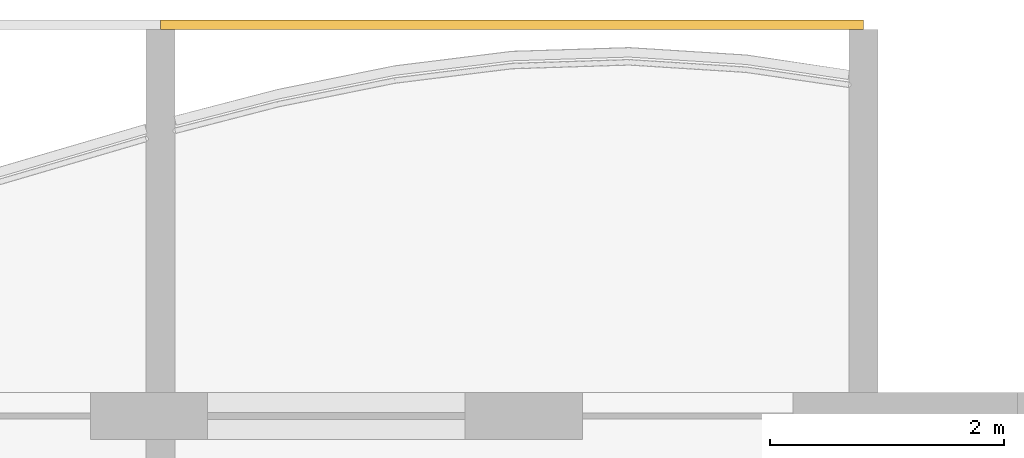
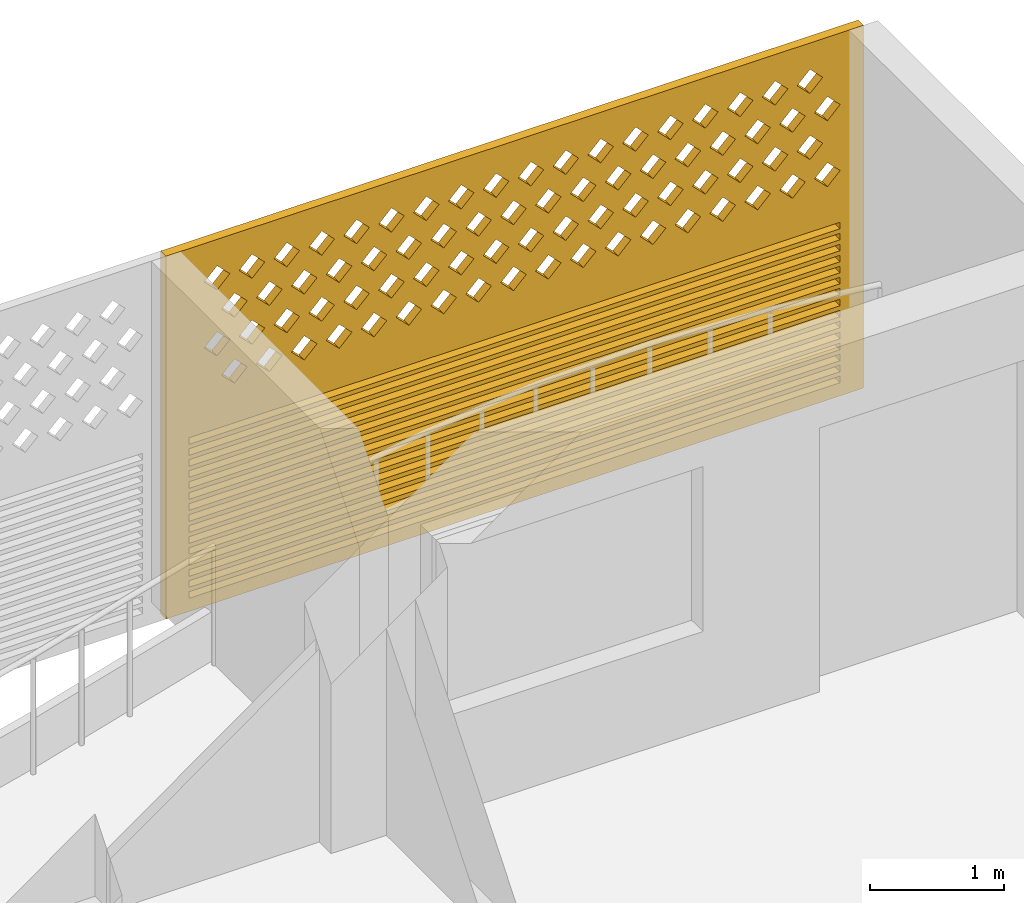
# One storey, part 26 of 26: 1 covering.
"""IFC4 building model written with IfcOpenShell, lengths in metres."""

from ifc_helpers import new_model, si_unit, direction, frame, origin, place, context, subcontext, project, spatial, polyline, outline, extrude, source, transform, mapped, material, material_profile, profile_set, type_object, element, save


model = new_model("IFC4")

# Units and contexts
model_context = context("Model", 3, precision=1e-05, world=origin(), true_north=direction((0.0, 1.0)))
body_context = subcontext(model_context, "Body", "Model", "MODEL_VIEW")
ifc_project = project(units=[si_unit("LENGTHUNIT", "METRE"), si_unit("AREAUNIT", "SQUARE_METRE"), si_unit("VOLUMEUNIT", "CUBIC_METRE"), si_unit("PLANEANGLEUNIT", "RADIAN"), si_unit("MASSUNIT", "GRAM", prefix="KILO")], contexts=[model_context])

# Site, building, storey
site_placement = place(None, origin())
site = spatial("IfcSite", under=ifc_project, at=site_placement, CompositionType="ELEMENT")
building_placement = place(site_placement, origin())
building = spatial("IfcBuilding", under=site, at=building_placement, Name="Poui Terraces", CompositionType="ELEMENT")
storey_placement = place(building_placement, frame((0.0, 0.0, 244.5)))
storey = spatial("IfcBuildingStorey", under=building, at=storey_placement, Name="L68", CompositionType="ELEMENT", Elevation=244.5)

# Covering
ifc_material = material(Name="Terracotta screen", Category="masonry")
ifc_material_profile = material_profile(ifc_material, outline(polyline([(-3.0, -1.64990234375), (3.0, -1.64990234375), (3.0, 1.64990234375), (-3.0, 1.64990234375), (-3.0, -1.64990234375)]), holes=[polyline([(-2.800048828125, 0.39990234375), (-2.68994140625, 0.2900390625), (-2.580078125, 0.39990234375), (-2.68994140625, 0.510009765625), (-2.800048828125, 0.39990234375)]), polyline([(-2.5, 0.39990234375), (-2.389892578125, 0.2900390625), (-2.280029296875, 0.39990234375), (-2.389892578125, 0.510009765625), (-2.5, 0.39990234375)]), polyline([(-2.199951171875, 0.39990234375), (-2.090087890625, 0.2900390625), (-1.97998046875, 0.39990234375), (-2.090087890625, 0.510009765625), (-2.199951171875, 0.39990234375)]), polyline([(-1.89990234375, 0.39990234375), (-1.7900390625, 0.2900390625), (-1.679931640625, 0.39990234375), (-1.7900390625, 0.510009765625), (-1.89990234375, 0.39990234375)]), polyline([(-1.60009765625, 0.39990234375), (-1.489990234375, 0.2900390625), (-1.3798828125, 0.39990234375), (-1.489990234375, 0.510009765625), (-1.60009765625, 0.39990234375)]), polyline([(-1.300048828125, 0.39990234375), (-1.18994140625, 0.2900390625), (-1.080078125, 0.39990234375), (-1.18994140625, 0.510009765625), (-1.300048828125, 0.39990234375)]), polyline([(-1.0, 0.39990234375), (-0.889892578125, 0.2900390625), (-0.780029296875, 0.39990234375), (-0.889892578125, 0.510009765625), (-1.0, 0.39990234375)]), polyline([(-0.699951171875, 0.39990234375), (-0.590087890625, 0.2900390625), (-0.47998046875, 0.39990234375), (-0.590087890625, 0.510009765625), (-0.699951171875, 0.39990234375)]), polyline([(-0.39990234375, 0.39990234375), (-0.2900390625, 0.2900390625), (-0.179931640625, 0.39990234375), (-0.2900390625, 0.510009765625), (-0.39990234375, 0.39990234375)]), polyline([(-0.10009765625, 0.39990234375), (0.010009765625, 0.2900390625), (0.1201171875, 0.39990234375), (0.010009765625, 0.510009765625), (-0.10009765625, 0.39990234375)]), polyline([(0.199951171875, 0.39990234375), (0.31005859375, 0.2900390625), (0.419921875, 0.39990234375), (0.31005859375, 0.510009765625), (0.199951171875, 0.39990234375)]), polyline([(0.5, 0.39990234375), (0.610107421875, 0.2900390625), (0.719970703125, 0.39990234375), (0.610107421875, 0.510009765625), (0.5, 0.39990234375)]), polyline([(0.800048828125, 0.39990234375), (0.909912109375, 0.2900390625), (1.02001953125, 0.39990234375), (0.909912109375, 0.510009765625), (0.800048828125, 0.39990234375)]), polyline([(1.10009765625, 0.39990234375), (1.2099609375, 0.2900390625), (1.320068359375, 0.39990234375), (1.2099609375, 0.510009765625), (1.10009765625, 0.39990234375)]), polyline([(1.39990234375, 0.39990234375), (1.510009765625, 0.2900390625), (1.6201171875, 0.39990234375), (1.510009765625, 0.510009765625), (1.39990234375, 0.39990234375)]), polyline([(1.699951171875, 0.39990234375), (1.81005859375, 0.2900390625), (1.919921875, 0.39990234375), (1.81005859375, 0.510009765625), (1.699951171875, 0.39990234375)]), polyline([(2.0, 0.39990234375), (2.110107421875, 0.2900390625), (2.219970703125, 0.39990234375), (2.110107421875, 0.510009765625), (2.0, 0.39990234375)]), polyline([(2.300048828125, 0.39990234375), (2.409912109375, 0.2900390625), (2.52001953125, 0.39990234375), (2.409912109375, 0.510009765625), (2.300048828125, 0.39990234375)]), polyline([(-2.64990234375, 0.699951171875), (-2.5400390625, 0.590087890625), (-2.429931640625, 0.699951171875), (-2.5400390625, 0.81005859375), (-2.64990234375, 0.699951171875)]), polyline([(-2.35009765625, 0.699951171875), (-2.239990234375, 0.590087890625), (-2.1298828125, 0.699951171875), (-2.239990234375, 0.81005859375), (-2.35009765625, 0.699951171875)]), polyline([(-2.050048828125, 0.699951171875), (-1.93994140625, 0.590087890625), (-1.830078125, 0.699951171875), (-1.93994140625, 0.81005859375), (-2.050048828125, 0.699951171875)]), polyline([(-1.75, 0.699951171875), (-1.639892578125, 0.590087890625), (-1.530029296875, 0.699951171875), (-1.639892578125, 0.81005859375), (-1.75, 0.699951171875)]), polyline([(-1.449951171875, 0.699951171875), (-1.340087890625, 0.590087890625), (-1.22998046875, 0.699951171875), (-1.340087890625, 0.81005859375), (-1.449951171875, 0.699951171875)]), polyline([(-1.14990234375, 0.699951171875), (-1.0400390625, 0.590087890625), (-0.929931640625, 0.699951171875), (-1.0400390625, 0.81005859375), (-1.14990234375, 0.699951171875)]), polyline([(-0.85009765625, 0.699951171875), (-0.739990234375, 0.590087890625), (-0.6298828125, 0.699951171875), (-0.739990234375, 0.81005859375), (-0.85009765625, 0.699951171875)]), polyline([(-0.550048828125, 0.699951171875), (-0.43994140625, 0.590087890625), (-0.330078125, 0.699951171875), (-0.43994140625, 0.81005859375), (-0.550048828125, 0.699951171875)]), polyline([(-0.25, 0.699951171875), (-0.139892578125, 0.590087890625), (-0.030029296875, 0.699951171875), (-0.139892578125, 0.81005859375), (-0.25, 0.699951171875)]), polyline([(0.050048828125, 0.699951171875), (0.159912109375, 0.590087890625), (0.27001953125, 0.699951171875), (0.159912109375, 0.81005859375), (0.050048828125, 0.699951171875)]), polyline([(0.35009765625, 0.699951171875), (0.4599609375, 0.590087890625), (0.570068359375, 0.699951171875), (0.4599609375, 0.81005859375), (0.35009765625, 0.699951171875)]), polyline([(0.64990234375, 0.699951171875), (0.760009765625, 0.590087890625), (0.8701171875, 0.699951171875), (0.760009765625, 0.81005859375), (0.64990234375, 0.699951171875)]), polyline([(0.949951171875, 0.699951171875), (1.06005859375, 0.590087890625), (1.169921875, 0.699951171875), (1.06005859375, 0.81005859375), (0.949951171875, 0.699951171875)]), polyline([(1.25, 0.699951171875), (1.360107421875, 0.590087890625), (1.469970703125, 0.699951171875), (1.360107421875, 0.81005859375), (1.25, 0.699951171875)]), polyline([(1.550048828125, 0.699951171875), (1.659912109375, 0.590087890625), (1.77001953125, 0.699951171875), (1.659912109375, 0.81005859375), (1.550048828125, 0.699951171875)]), polyline([(1.85009765625, 0.699951171875), (1.9599609375, 0.590087890625), (2.070068359375, 0.699951171875), (1.9599609375, 0.81005859375), (1.85009765625, 0.699951171875)]), polyline([(2.14990234375, 0.699951171875), (2.260009765625, 0.590087890625), (2.3701171875, 0.699951171875), (2.260009765625, 0.81005859375), (2.14990234375, 0.699951171875)]), polyline([(2.449951171875, 0.699951171875), (2.56005859375, 0.590087890625), (2.669921875, 0.699951171875), (2.56005859375, 0.81005859375), (2.449951171875, 0.699951171875)]), polyline([(-2.800048828125, 1.0), (-2.68994140625, 0.889892578125), (-2.580078125, 1.0), (-2.68994140625, 1.110107421875), (-2.800048828125, 1.0)]), polyline([(-2.5, 1.0), (-2.389892578125, 0.889892578125), (-2.280029296875, 1.0), (-2.389892578125, 1.110107421875), (-2.5, 1.0)]), polyline([(-2.199951171875, 1.0), (-2.090087890625, 0.889892578125), (-1.97998046875, 1.0), (-2.090087890625, 1.110107421875), (-2.199951171875, 1.0)]), polyline([(-1.89990234375, 1.0), (-1.7900390625, 0.889892578125), (-1.679931640625, 1.0), (-1.7900390625, 1.110107421875), (-1.89990234375, 1.0)]), polyline([(-1.60009765625, 1.0), (-1.489990234375, 0.889892578125), (-1.3798828125, 1.0), (-1.489990234375, 1.110107421875), (-1.60009765625, 1.0)]), polyline([(-1.300048828125, 1.0), (-1.18994140625, 0.889892578125), (-1.080078125, 1.0), (-1.18994140625, 1.110107421875), (-1.300048828125, 1.0)]), polyline([(-1.0, 1.0), (-0.889892578125, 0.889892578125), (-0.780029296875, 1.0), (-0.889892578125, 1.110107421875), (-1.0, 1.0)]), polyline([(-0.699951171875, 1.0), (-0.590087890625, 0.889892578125), (-0.47998046875, 1.0), (-0.590087890625, 1.110107421875), (-0.699951171875, 1.0)]), polyline([(-0.39990234375, 1.0), (-0.2900390625, 0.889892578125), (-0.179931640625, 1.0), (-0.2900390625, 1.110107421875), (-0.39990234375, 1.0)]), polyline([(-0.10009765625, 1.0), (0.010009765625, 0.889892578125), (0.1201171875, 1.0), (0.010009765625, 1.110107421875), (-0.10009765625, 1.0)]), polyline([(0.199951171875, 1.0), (0.31005859375, 0.889892578125), (0.419921875, 1.0), (0.31005859375, 1.110107421875), (0.199951171875, 1.0)]), polyline([(0.5, 1.0), (0.610107421875, 0.889892578125), (0.719970703125, 1.0), (0.610107421875, 1.110107421875), (0.5, 1.0)]), polyline([(0.800048828125, 1.0), (0.909912109375, 0.889892578125), (1.02001953125, 1.0), (0.909912109375, 1.110107421875), (0.800048828125, 1.0)]), polyline([(1.10009765625, 1.0), (1.2099609375, 0.889892578125), (1.320068359375, 1.0), (1.2099609375, 1.110107421875), (1.10009765625, 1.0)]), polyline([(1.39990234375, 1.0), (1.510009765625, 0.889892578125), (1.6201171875, 1.0), (1.510009765625, 1.110107421875), (1.39990234375, 1.0)]), polyline([(1.699951171875, 1.0), (1.81005859375, 0.889892578125), (1.919921875, 1.0), (1.81005859375, 1.110107421875), (1.699951171875, 1.0)]), polyline([(2.0, 1.0), (2.110107421875, 0.889892578125), (2.219970703125, 1.0), (2.110107421875, 1.110107421875), (2.0, 1.0)]), polyline([(2.300048828125, 1.0), (2.409912109375, 0.889892578125), (2.52001953125, 1.0), (2.409912109375, 1.110107421875), (2.300048828125, 1.0)]), polyline([(-2.64990234375, 1.300048828125), (-2.5400390625, 1.18994140625), (-2.429931640625, 1.300048828125), (-2.5400390625, 1.409912109375), (-2.64990234375, 1.300048828125)]), polyline([(-2.35009765625, 1.300048828125), (-2.239990234375, 1.18994140625), (-2.1298828125, 1.300048828125), (-2.239990234375, 1.409912109375), (-2.35009765625, 1.300048828125)]), polyline([(-2.050048828125, 1.300048828125), (-1.93994140625, 1.18994140625), (-1.830078125, 1.300048828125), (-1.93994140625, 1.409912109375), (-2.050048828125, 1.300048828125)]), polyline([(-1.75, 1.300048828125), (-1.639892578125, 1.18994140625), (-1.530029296875, 1.300048828125), (-1.639892578125, 1.409912109375), (-1.75, 1.300048828125)]), polyline([(-1.449951171875, 1.300048828125), (-1.340087890625, 1.18994140625), (-1.22998046875, 1.300048828125), (-1.340087890625, 1.409912109375), (-1.449951171875, 1.300048828125)]), polyline([(-1.14990234375, 1.300048828125), (-1.0400390625, 1.18994140625), (-0.929931640625, 1.300048828125), (-1.0400390625, 1.409912109375), (-1.14990234375, 1.300048828125)]), polyline([(-0.85009765625, 1.300048828125), (-0.739990234375, 1.18994140625), (-0.6298828125, 1.300048828125), (-0.739990234375, 1.409912109375), (-0.85009765625, 1.300048828125)]), polyline([(-0.550048828125, 1.300048828125), (-0.43994140625, 1.18994140625), (-0.330078125, 1.300048828125), (-0.43994140625, 1.409912109375), (-0.550048828125, 1.300048828125)]), polyline([(-0.25, 1.300048828125), (-0.139892578125, 1.18994140625), (-0.030029296875, 1.300048828125), (-0.139892578125, 1.409912109375), (-0.25, 1.300048828125)]), polyline([(0.050048828125, 1.300048828125), (0.159912109375, 1.18994140625), (0.27001953125, 1.300048828125), (0.159912109375, 1.409912109375), (0.050048828125, 1.300048828125)]), polyline([(0.35009765625, 1.300048828125), (0.4599609375, 1.18994140625), (0.570068359375, 1.300048828125), (0.4599609375, 1.409912109375), (0.35009765625, 1.300048828125)]), polyline([(0.64990234375, 1.300048828125), (0.760009765625, 1.18994140625), (0.8701171875, 1.300048828125), (0.760009765625, 1.409912109375), (0.64990234375, 1.300048828125)]), polyline([(0.949951171875, 1.300048828125), (1.06005859375, 1.18994140625), (1.169921875, 1.300048828125), (1.06005859375, 1.409912109375), (0.949951171875, 1.300048828125)]), polyline([(1.25, 1.300048828125), (1.360107421875, 1.18994140625), (1.469970703125, 1.300048828125), (1.360107421875, 1.409912109375), (1.25, 1.300048828125)]), polyline([(1.550048828125, 1.300048828125), (1.659912109375, 1.18994140625), (1.77001953125, 1.300048828125), (1.659912109375, 1.409912109375), (1.550048828125, 1.300048828125)]), polyline([(1.85009765625, 1.300048828125), (1.9599609375, 1.18994140625), (2.070068359375, 1.300048828125), (1.9599609375, 1.409912109375), (1.85009765625, 1.300048828125)]), polyline([(2.14990234375, 1.300048828125), (2.260009765625, 1.18994140625), (2.3701171875, 1.300048828125), (2.260009765625, 1.409912109375), (2.14990234375, 1.300048828125)]), polyline([(2.449951171875, 1.300048828125), (2.56005859375, 1.18994140625), (2.669921875, 1.300048828125), (2.56005859375, 1.409912109375), (2.449951171875, 1.300048828125)]), polyline([(-2.800048828125, -1.530029296875), (2.800048828125, -1.530029296875), (2.800048828125, -1.469970703125), (-2.800048828125, -1.469970703125), (-2.800048828125, -1.530029296875)]), polyline([(-2.800048828125, -1.429931640625), (2.800048828125, -1.429931640625), (2.800048828125, -1.3701171875), (-2.800048828125, -1.3701171875), (-2.800048828125, -1.429931640625)]), polyline([(-2.800048828125, -1.330078125), (2.800048828125, -1.330078125), (2.800048828125, -1.27001953125), (-2.800048828125, -1.27001953125), (-2.800048828125, -1.330078125)]), polyline([(-2.800048828125, -1.22998046875), (2.800048828125, -1.22998046875), (2.800048828125, -1.169921875), (-2.800048828125, -1.169921875), (-2.800048828125, -1.22998046875)]), polyline([(-2.800048828125, -1.1298828125), (2.800048828125, -1.1298828125), (2.800048828125, -1.070068359375), (-2.800048828125, -1.070068359375), (-2.800048828125, -1.1298828125)]), polyline([(-2.800048828125, -1.030029296875), (2.800048828125, -1.030029296875), (2.800048828125, -0.969970703125), (-2.800048828125, -0.969970703125), (-2.800048828125, -1.030029296875)]), polyline([(-2.800048828125, -0.929931640625), (2.800048828125, -0.929931640625), (2.800048828125, -0.8701171875), (-2.800048828125, -0.8701171875), (-2.800048828125, -0.929931640625)]), polyline([(-2.800048828125, -0.830078125), (2.800048828125, -0.830078125), (2.800048828125, -0.77001953125), (-2.800048828125, -0.77001953125), (-2.800048828125, -0.830078125)]), polyline([(-2.800048828125, -0.72998046875), (2.800048828125, -0.72998046875), (2.800048828125, -0.669921875), (-2.800048828125, -0.669921875), (-2.800048828125, -0.72998046875)]), polyline([(-2.800048828125, -0.6298828125), (2.800048828125, -0.6298828125), (2.800048828125, -0.570068359375), (-2.800048828125, -0.570068359375), (-2.800048828125, -0.6298828125)]), polyline([(-2.800048828125, -0.530029296875), (2.800048828125, -0.530029296875), (2.800048828125, -0.469970703125), (-2.800048828125, -0.469970703125), (-2.800048828125, -0.530029296875)]), polyline([(-2.800048828125, -0.429931640625), (2.800048828125, -0.429931640625), (2.800048828125, -0.3701171875), (-2.800048828125, -0.3701171875), (-2.800048828125, -0.429931640625)]), polyline([(-2.800048828125, -0.330078125), (2.800048828125, -0.330078125), (2.800048828125, -0.27001953125), (-2.800048828125, -0.27001953125), (-2.800048828125, -0.330078125)]), polyline([(-2.800048828125, -0.22998046875), (2.800048828125, -0.22998046875), (2.800048828125, -0.169921875), (-2.800048828125, -0.169921875), (-2.800048828125, -0.22998046875)]), polyline([(-2.800048828125, -0.1298828125), (2.800048828125, -0.1298828125), (2.800048828125, -0.070068359375), (-2.800048828125, -0.070068359375), (-2.800048828125, -0.1298828125)])]), Name="TERRACOTTA SCREEN AND JALOUSIE LOUVRE 6000X3300")
ifc_profile_set = profile_set([ifc_material_profile], Name="Terracotta screen")
covering_type = type_object("IfcCoveringType", Name="TERRACOTTA SCREEN AND JALOUSIE LOUVRE 6000X3300", PredefinedType="CLADDING", material=ifc_profile_set)
shared_shape = source(origin(), body_context, "Body", "SweptSolid", [
    extrude(outline(polyline([(-3.0, -1.64990234375), (3.0, -1.64990234375), (3.0, 1.64990234375), (-3.0, 1.64990234375), (-3.0, -1.64990234375)]), holes=[polyline([(-2.800048828125, 0.39990234375), (-2.68994140625, 0.2900390625), (-2.580078125, 0.39990234375), (-2.68994140625, 0.510009765625), (-2.800048828125, 0.39990234375)]), polyline([(-2.5, 0.39990234375), (-2.389892578125, 0.2900390625), (-2.280029296875, 0.39990234375), (-2.389892578125, 0.510009765625), (-2.5, 0.39990234375)]), polyline([(-2.199951171875, 0.39990234375), (-2.090087890625, 0.2900390625), (-1.97998046875, 0.39990234375), (-2.090087890625, 0.510009765625), (-2.199951171875, 0.39990234375)]), polyline([(-1.89990234375, 0.39990234375), (-1.7900390625, 0.2900390625), (-1.679931640625, 0.39990234375), (-1.7900390625, 0.510009765625), (-1.89990234375, 0.39990234375)]), polyline([(-1.60009765625, 0.39990234375), (-1.489990234375, 0.2900390625), (-1.3798828125, 0.39990234375), (-1.489990234375, 0.510009765625), (-1.60009765625, 0.39990234375)]), polyline([(-1.300048828125, 0.39990234375), (-1.18994140625, 0.2900390625), (-1.080078125, 0.39990234375), (-1.18994140625, 0.510009765625), (-1.300048828125, 0.39990234375)]), polyline([(-1.0, 0.39990234375), (-0.889892578125, 0.2900390625), (-0.780029296875, 0.39990234375), (-0.889892578125, 0.510009765625), (-1.0, 0.39990234375)]), polyline([(-0.699951171875, 0.39990234375), (-0.590087890625, 0.2900390625), (-0.47998046875, 0.39990234375), (-0.590087890625, 0.510009765625), (-0.699951171875, 0.39990234375)]), polyline([(-0.39990234375, 0.39990234375), (-0.2900390625, 0.2900390625), (-0.179931640625, 0.39990234375), (-0.2900390625, 0.510009765625), (-0.39990234375, 0.39990234375)]), polyline([(-0.10009765625, 0.39990234375), (0.010009765625, 0.2900390625), (0.1201171875, 0.39990234375), (0.010009765625, 0.510009765625), (-0.10009765625, 0.39990234375)]), polyline([(0.199951171875, 0.39990234375), (0.31005859375, 0.2900390625), (0.419921875, 0.39990234375), (0.31005859375, 0.510009765625), (0.199951171875, 0.39990234375)]), polyline([(0.5, 0.39990234375), (0.610107421875, 0.2900390625), (0.719970703125, 0.39990234375), (0.610107421875, 0.510009765625), (0.5, 0.39990234375)]), polyline([(0.800048828125, 0.39990234375), (0.909912109375, 0.2900390625), (1.02001953125, 0.39990234375), (0.909912109375, 0.510009765625), (0.800048828125, 0.39990234375)]), polyline([(1.10009765625, 0.39990234375), (1.2099609375, 0.2900390625), (1.320068359375, 0.39990234375), (1.2099609375, 0.510009765625), (1.10009765625, 0.39990234375)]), polyline([(1.39990234375, 0.39990234375), (1.510009765625, 0.2900390625), (1.6201171875, 0.39990234375), (1.510009765625, 0.510009765625), (1.39990234375, 0.39990234375)]), polyline([(1.699951171875, 0.39990234375), (1.81005859375, 0.2900390625), (1.919921875, 0.39990234375), (1.81005859375, 0.510009765625), (1.699951171875, 0.39990234375)]), polyline([(2.0, 0.39990234375), (2.110107421875, 0.2900390625), (2.219970703125, 0.39990234375), (2.110107421875, 0.510009765625), (2.0, 0.39990234375)]), polyline([(2.300048828125, 0.39990234375), (2.409912109375, 0.2900390625), (2.52001953125, 0.39990234375), (2.409912109375, 0.510009765625), (2.300048828125, 0.39990234375)]), polyline([(-2.64990234375, 0.699951171875), (-2.5400390625, 0.590087890625), (-2.429931640625, 0.699951171875), (-2.5400390625, 0.81005859375), (-2.64990234375, 0.699951171875)]), polyline([(-2.35009765625, 0.699951171875), (-2.239990234375, 0.590087890625), (-2.1298828125, 0.699951171875), (-2.239990234375, 0.81005859375), (-2.35009765625, 0.699951171875)]), polyline([(-2.050048828125, 0.699951171875), (-1.93994140625, 0.590087890625), (-1.830078125, 0.699951171875), (-1.93994140625, 0.81005859375), (-2.050048828125, 0.699951171875)]), polyline([(-1.75, 0.699951171875), (-1.639892578125, 0.590087890625), (-1.530029296875, 0.699951171875), (-1.639892578125, 0.81005859375), (-1.75, 0.699951171875)]), polyline([(-1.449951171875, 0.699951171875), (-1.340087890625, 0.590087890625), (-1.22998046875, 0.699951171875), (-1.340087890625, 0.81005859375), (-1.449951171875, 0.699951171875)]), polyline([(-1.14990234375, 0.699951171875), (-1.0400390625, 0.590087890625), (-0.929931640625, 0.699951171875), (-1.0400390625, 0.81005859375), (-1.14990234375, 0.699951171875)]), polyline([(-0.85009765625, 0.699951171875), (-0.739990234375, 0.590087890625), (-0.6298828125, 0.699951171875), (-0.739990234375, 0.81005859375), (-0.85009765625, 0.699951171875)]), polyline([(-0.550048828125, 0.699951171875), (-0.43994140625, 0.590087890625), (-0.330078125, 0.699951171875), (-0.43994140625, 0.81005859375), (-0.550048828125, 0.699951171875)]), polyline([(-0.25, 0.699951171875), (-0.139892578125, 0.590087890625), (-0.030029296875, 0.699951171875), (-0.139892578125, 0.81005859375), (-0.25, 0.699951171875)]), polyline([(0.050048828125, 0.699951171875), (0.159912109375, 0.590087890625), (0.27001953125, 0.699951171875), (0.159912109375, 0.81005859375), (0.050048828125, 0.699951171875)]), polyline([(0.35009765625, 0.699951171875), (0.4599609375, 0.590087890625), (0.570068359375, 0.699951171875), (0.4599609375, 0.81005859375), (0.35009765625, 0.699951171875)]), polyline([(0.64990234375, 0.699951171875), (0.760009765625, 0.590087890625), (0.8701171875, 0.699951171875), (0.760009765625, 0.81005859375), (0.64990234375, 0.699951171875)]), polyline([(0.949951171875, 0.699951171875), (1.06005859375, 0.590087890625), (1.169921875, 0.699951171875), (1.06005859375, 0.81005859375), (0.949951171875, 0.699951171875)]), polyline([(1.25, 0.699951171875), (1.360107421875, 0.590087890625), (1.469970703125, 0.699951171875), (1.360107421875, 0.81005859375), (1.25, 0.699951171875)]), polyline([(1.550048828125, 0.699951171875), (1.659912109375, 0.590087890625), (1.77001953125, 0.699951171875), (1.659912109375, 0.81005859375), (1.550048828125, 0.699951171875)]), polyline([(1.85009765625, 0.699951171875), (1.9599609375, 0.590087890625), (2.070068359375, 0.699951171875), (1.9599609375, 0.81005859375), (1.85009765625, 0.699951171875)]), polyline([(2.14990234375, 0.699951171875), (2.260009765625, 0.590087890625), (2.3701171875, 0.699951171875), (2.260009765625, 0.81005859375), (2.14990234375, 0.699951171875)]), polyline([(2.449951171875, 0.699951171875), (2.56005859375, 0.590087890625), (2.669921875, 0.699951171875), (2.56005859375, 0.81005859375), (2.449951171875, 0.699951171875)]), polyline([(-2.800048828125, 1.0), (-2.68994140625, 0.889892578125), (-2.580078125, 1.0), (-2.68994140625, 1.110107421875), (-2.800048828125, 1.0)]), polyline([(-2.5, 1.0), (-2.389892578125, 0.889892578125), (-2.280029296875, 1.0), (-2.389892578125, 1.110107421875), (-2.5, 1.0)]), polyline([(-2.199951171875, 1.0), (-2.090087890625, 0.889892578125), (-1.97998046875, 1.0), (-2.090087890625, 1.110107421875), (-2.199951171875, 1.0)]), polyline([(-1.89990234375, 1.0), (-1.7900390625, 0.889892578125), (-1.679931640625, 1.0), (-1.7900390625, 1.110107421875), (-1.89990234375, 1.0)]), polyline([(-1.60009765625, 1.0), (-1.489990234375, 0.889892578125), (-1.3798828125, 1.0), (-1.489990234375, 1.110107421875), (-1.60009765625, 1.0)]), polyline([(-1.300048828125, 1.0), (-1.18994140625, 0.889892578125), (-1.080078125, 1.0), (-1.18994140625, 1.110107421875), (-1.300048828125, 1.0)]), polyline([(-1.0, 1.0), (-0.889892578125, 0.889892578125), (-0.780029296875, 1.0), (-0.889892578125, 1.110107421875), (-1.0, 1.0)]), polyline([(-0.699951171875, 1.0), (-0.590087890625, 0.889892578125), (-0.47998046875, 1.0), (-0.590087890625, 1.110107421875), (-0.699951171875, 1.0)]), polyline([(-0.39990234375, 1.0), (-0.2900390625, 0.889892578125), (-0.179931640625, 1.0), (-0.2900390625, 1.110107421875), (-0.39990234375, 1.0)]), polyline([(-0.10009765625, 1.0), (0.010009765625, 0.889892578125), (0.1201171875, 1.0), (0.010009765625, 1.110107421875), (-0.10009765625, 1.0)]), polyline([(0.199951171875, 1.0), (0.31005859375, 0.889892578125), (0.419921875, 1.0), (0.31005859375, 1.110107421875), (0.199951171875, 1.0)]), polyline([(0.5, 1.0), (0.610107421875, 0.889892578125), (0.719970703125, 1.0), (0.610107421875, 1.110107421875), (0.5, 1.0)]), polyline([(0.800048828125, 1.0), (0.909912109375, 0.889892578125), (1.02001953125, 1.0), (0.909912109375, 1.110107421875), (0.800048828125, 1.0)]), polyline([(1.10009765625, 1.0), (1.2099609375, 0.889892578125), (1.320068359375, 1.0), (1.2099609375, 1.110107421875), (1.10009765625, 1.0)]), polyline([(1.39990234375, 1.0), (1.510009765625, 0.889892578125), (1.6201171875, 1.0), (1.510009765625, 1.110107421875), (1.39990234375, 1.0)]), polyline([(1.699951171875, 1.0), (1.81005859375, 0.889892578125), (1.919921875, 1.0), (1.81005859375, 1.110107421875), (1.699951171875, 1.0)]), polyline([(2.0, 1.0), (2.110107421875, 0.889892578125), (2.219970703125, 1.0), (2.110107421875, 1.110107421875), (2.0, 1.0)]), polyline([(2.300048828125, 1.0), (2.409912109375, 0.889892578125), (2.52001953125, 1.0), (2.409912109375, 1.110107421875), (2.300048828125, 1.0)]), polyline([(-2.64990234375, 1.300048828125), (-2.5400390625, 1.18994140625), (-2.429931640625, 1.300048828125), (-2.5400390625, 1.409912109375), (-2.64990234375, 1.300048828125)]), polyline([(-2.35009765625, 1.300048828125), (-2.239990234375, 1.18994140625), (-2.1298828125, 1.300048828125), (-2.239990234375, 1.409912109375), (-2.35009765625, 1.300048828125)]), polyline([(-2.050048828125, 1.300048828125), (-1.93994140625, 1.18994140625), (-1.830078125, 1.300048828125), (-1.93994140625, 1.409912109375), (-2.050048828125, 1.300048828125)]), polyline([(-1.75, 1.300048828125), (-1.639892578125, 1.18994140625), (-1.530029296875, 1.300048828125), (-1.639892578125, 1.409912109375), (-1.75, 1.300048828125)]), polyline([(-1.449951171875, 1.300048828125), (-1.340087890625, 1.18994140625), (-1.22998046875, 1.300048828125), (-1.340087890625, 1.409912109375), (-1.449951171875, 1.300048828125)]), polyline([(-1.14990234375, 1.300048828125), (-1.0400390625, 1.18994140625), (-0.929931640625, 1.300048828125), (-1.0400390625, 1.409912109375), (-1.14990234375, 1.300048828125)]), polyline([(-0.85009765625, 1.300048828125), (-0.739990234375, 1.18994140625), (-0.6298828125, 1.300048828125), (-0.739990234375, 1.409912109375), (-0.85009765625, 1.300048828125)]), polyline([(-0.550048828125, 1.300048828125), (-0.43994140625, 1.18994140625), (-0.330078125, 1.300048828125), (-0.43994140625, 1.409912109375), (-0.550048828125, 1.300048828125)]), polyline([(-0.25, 1.300048828125), (-0.139892578125, 1.18994140625), (-0.030029296875, 1.300048828125), (-0.139892578125, 1.409912109375), (-0.25, 1.300048828125)]), polyline([(0.050048828125, 1.300048828125), (0.159912109375, 1.18994140625), (0.27001953125, 1.300048828125), (0.159912109375, 1.409912109375), (0.050048828125, 1.300048828125)]), polyline([(0.35009765625, 1.300048828125), (0.4599609375, 1.18994140625), (0.570068359375, 1.300048828125), (0.4599609375, 1.409912109375), (0.35009765625, 1.300048828125)]), polyline([(0.64990234375, 1.300048828125), (0.760009765625, 1.18994140625), (0.8701171875, 1.300048828125), (0.760009765625, 1.409912109375), (0.64990234375, 1.300048828125)]), polyline([(0.949951171875, 1.300048828125), (1.06005859375, 1.18994140625), (1.169921875, 1.300048828125), (1.06005859375, 1.409912109375), (0.949951171875, 1.300048828125)]), polyline([(1.25, 1.300048828125), (1.360107421875, 1.18994140625), (1.469970703125, 1.300048828125), (1.360107421875, 1.409912109375), (1.25, 1.300048828125)]), polyline([(1.550048828125, 1.300048828125), (1.659912109375, 1.18994140625), (1.77001953125, 1.300048828125), (1.659912109375, 1.409912109375), (1.550048828125, 1.300048828125)]), polyline([(1.85009765625, 1.300048828125), (1.9599609375, 1.18994140625), (2.070068359375, 1.300048828125), (1.9599609375, 1.409912109375), (1.85009765625, 1.300048828125)]), polyline([(2.14990234375, 1.300048828125), (2.260009765625, 1.18994140625), (2.3701171875, 1.300048828125), (2.260009765625, 1.409912109375), (2.14990234375, 1.300048828125)]), polyline([(2.449951171875, 1.300048828125), (2.56005859375, 1.18994140625), (2.669921875, 1.300048828125), (2.56005859375, 1.409912109375), (2.449951171875, 1.300048828125)]), polyline([(-2.800048828125, -1.530029296875), (2.800048828125, -1.530029296875), (2.800048828125, -1.469970703125), (-2.800048828125, -1.469970703125), (-2.800048828125, -1.530029296875)]), polyline([(-2.800048828125, -1.429931640625), (2.800048828125, -1.429931640625), (2.800048828125, -1.3701171875), (-2.800048828125, -1.3701171875), (-2.800048828125, -1.429931640625)]), polyline([(-2.800048828125, -1.330078125), (2.800048828125, -1.330078125), (2.800048828125, -1.27001953125), (-2.800048828125, -1.27001953125), (-2.800048828125, -1.330078125)]), polyline([(-2.800048828125, -1.22998046875), (2.800048828125, -1.22998046875), (2.800048828125, -1.169921875), (-2.800048828125, -1.169921875), (-2.800048828125, -1.22998046875)]), polyline([(-2.800048828125, -1.1298828125), (2.800048828125, -1.1298828125), (2.800048828125, -1.070068359375), (-2.800048828125, -1.070068359375), (-2.800048828125, -1.1298828125)]), polyline([(-2.800048828125, -1.030029296875), (2.800048828125, -1.030029296875), (2.800048828125, -0.969970703125), (-2.800048828125, -0.969970703125), (-2.800048828125, -1.030029296875)]), polyline([(-2.800048828125, -0.929931640625), (2.800048828125, -0.929931640625), (2.800048828125, -0.8701171875), (-2.800048828125, -0.8701171875), (-2.800048828125, -0.929931640625)]), polyline([(-2.800048828125, -0.830078125), (2.800048828125, -0.830078125), (2.800048828125, -0.77001953125), (-2.800048828125, -0.77001953125), (-2.800048828125, -0.830078125)]), polyline([(-2.800048828125, -0.72998046875), (2.800048828125, -0.72998046875), (2.800048828125, -0.669921875), (-2.800048828125, -0.669921875), (-2.800048828125, -0.72998046875)]), polyline([(-2.800048828125, -0.6298828125), (2.800048828125, -0.6298828125), (2.800048828125, -0.570068359375), (-2.800048828125, -0.570068359375), (-2.800048828125, -0.6298828125)]), polyline([(-2.800048828125, -0.530029296875), (2.800048828125, -0.530029296875), (2.800048828125, -0.469970703125), (-2.800048828125, -0.469970703125), (-2.800048828125, -0.530029296875)]), polyline([(-2.800048828125, -0.429931640625), (2.800048828125, -0.429931640625), (2.800048828125, -0.3701171875), (-2.800048828125, -0.3701171875), (-2.800048828125, -0.429931640625)]), polyline([(-2.800048828125, -0.330078125), (2.800048828125, -0.330078125), (2.800048828125, -0.27001953125), (-2.800048828125, -0.27001953125), (-2.800048828125, -0.330078125)]), polyline([(-2.800048828125, -0.22998046875), (2.800048828125, -0.22998046875), (2.800048828125, -0.169921875), (-2.800048828125, -0.169921875), (-2.800048828125, -0.22998046875)]), polyline([(-2.800048828125, -0.1298828125), (2.800048828125, -0.1298828125), (2.800048828125, -0.070068359375), (-2.800048828125, -0.070068359375), (-2.800048828125, -0.1298828125)])]), origin(), (0.0, 0.0, 1.0), 0.080078125),
])
covering_placement = place(storey_placement, frame((75.0, 44.5, 1.449951171875), z_axis=(0.0, 1.0, 0.0), x_axis=(-1.0, 0.0, 0.0)))
element("IfcCovering", 1, at=covering_placement, inside=storey, type_object=covering_type, Name="SOLAR SCREEN AND JALOUSIE LOUVRE", PredefinedType="CLADDING", context=body_context, shape_type="MappedRepresentation", body=[
    mapped(shared_shape, transform((0.0, 0.0, 0.0))),
])

save(model, "model.ifc")
